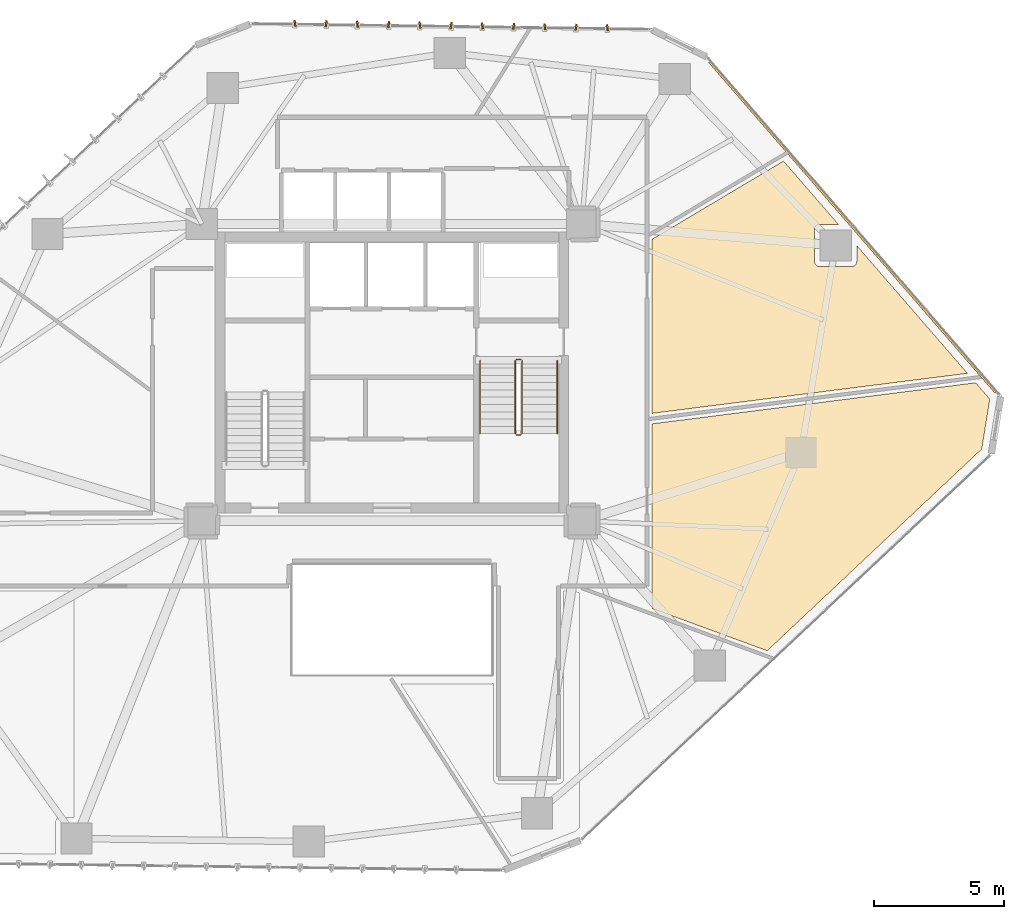
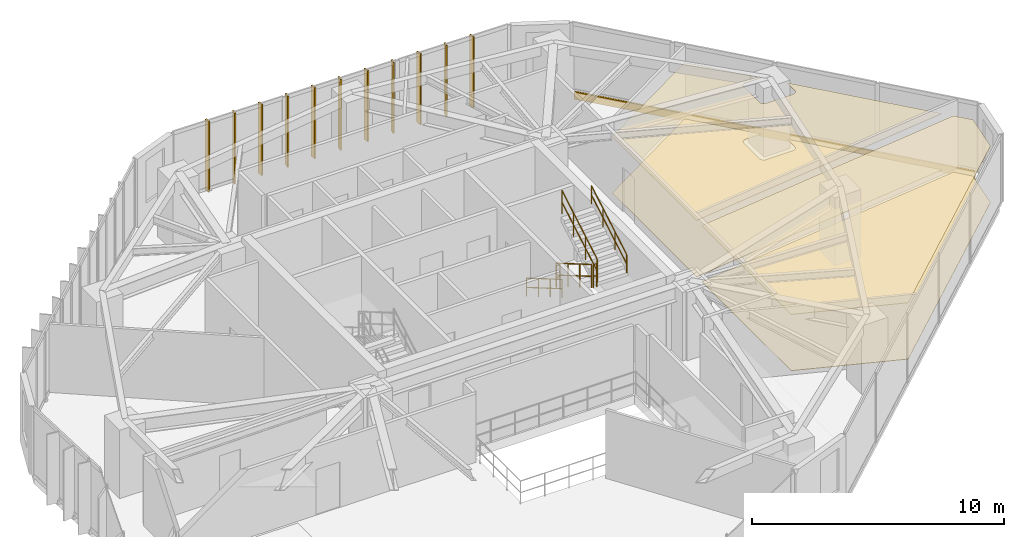
# One storey, part 22 of 22: 11 shading devices, 6 railings, 5 coverings.
"""IFC4 building model written with IfcOpenShell, lengths in metres."""

from ifc_helpers import new_model, si_unit, direction, frame, origin, origin_2d, place, context, subcontext, project, spatial, polyline, rectangle, circle, outline, extrude, source, transform, mapped, material, layer, layer_set, type_object, type_shapes, element, save


model = new_model("IFC4")

# Units and contexts
model_context = context("Model", 3, precision=1e-05, world=origin(), true_north=direction((0.0, 1.0)))
body_context = subcontext(model_context, "Body", "Model", "MODEL_VIEW")
ifc_project = project(units=[si_unit("LENGTHUNIT", "METRE"), si_unit("AREAUNIT", "SQUARE_METRE"), si_unit("VOLUMEUNIT", "CUBIC_METRE"), si_unit("PLANEANGLEUNIT", "RADIAN"), si_unit("MASSUNIT", "GRAM", prefix="KILO")], contexts=[model_context])

# Site, building, storey
site_placement = place(None, origin())
site = spatial("IfcSite", under=ifc_project, at=site_placement, CompositionType="ELEMENT")
building_placement = place(site_placement, origin())
building = spatial("IfcBuilding", under=site, at=building_placement, Name="Talar Marvaseh", CompositionType="ELEMENT")
storey_placement = place(building_placement, frame((0.0, 0.0, 89.39990234375)))
storey = spatial("IfcBuildingStorey", under=building, at=storey_placement, Name="L22", CompositionType="ELEMENT", Elevation=89.39990234375)

# Railings
ifc_material_1 = material(Name="Stainless Steel Grade 316", Category="steel")
railing_type_1 = type_object("IfcRailingType", Name="Brushed Stainless Wall Pitch Handrail 900", PredefinedType="HANDRAIL", material=ifc_material_1)
railing_1_placement = place(storey_placement, frame((29.389892578125, 31.64990234375, 0.163818359375)))
element("IfcRailing", 1, at=railing_1_placement, inside=storey, type_object=railing_type_1, Name="L22 ST-2 stair handrail 1", PredefinedType="HANDRAIL", context=body_context, shape_type="SweptSolid", body=[
    extrude(circle(Radius=0.02392578125, at=origin_2d()), frame((0.0, 0.0, 0.8759765625), z_axis=(0.0, -0.863374499697, 0.504563646405), x_axis=(1.0, 0.0, 0.0)), (0.0, 0.0, 1.0), 3.242919921875),
    extrude(circle(Radius=0.02392578125, at=origin_2d()), frame((0.0, 0.0, 0.42578125), z_axis=(0.0, -0.863374499697, 0.504563646405), x_axis=(1.0, 0.0, 0.0)), (0.0, 0.0, 1.0), 3.242919921875),
    extrude(circle(Radius=0.02099609375, at=origin_2d()), origin(), (0.0, 0.0, 1.0), 0.851806640625),
    extrude(circle(Radius=0.02099609375, at=origin_2d()), frame((0.0, -0.933349609375, 0.54541015625)), (0.0, 0.0, 1.0), 0.851806640625),
    extrude(circle(Radius=0.02099609375, at=origin_2d()), frame((0.0, -1.866455078125, 1.0908203125)), (0.0, 0.0, 1.0), 0.851806640625),
    extrude(circle(Radius=0.02099609375, at=origin_2d()), frame((0.0, -2.7998046875, 1.63623046875)), (0.0, 0.0, 1.0), 0.851806640625),
])
railing_2_placement = place(storey_placement, frame((32.35009765625, 28.85009765625, 1.963623046875)))
element("IfcRailing", 2, at=railing_2_placement, inside=storey, type_object=railing_type_1, Name="L22 ST-2 stair handrail 2", PredefinedType="HANDRAIL", context=body_context, shape_type="SweptSolid", body=[
    extrude(circle(Radius=0.02392578125, at=origin_2d()), frame((0.0, 0.0, 0.8759765625), z_axis=(0.0, 0.863341702679, 0.504619762213), x_axis=(-1.0, 0.0, 0.0)), (0.0, 0.0, 1.0), 3.242919921875),
    extrude(circle(Radius=0.02392578125, at=origin_2d()), frame((0.0, 0.0, 0.42578125), z_axis=(0.0, 0.863341702679, 0.504619762213), x_axis=(-1.0, 0.0, 0.0)), (0.0, 0.0, 1.0), 3.242919921875),
    extrude(circle(Radius=0.02099609375, at=origin_2d()), origin(), (0.0, 0.0, 1.0), 0.851806640625),
    extrude(circle(Radius=0.02099609375, at=origin_2d()), frame((0.0, 0.933349609375, 0.54541015625)), (0.0, 0.0, 1.0), 0.851806640625),
    extrude(circle(Radius=0.02099609375, at=origin_2d()), frame((0.0, 1.866455078125, 1.091064453125)), (0.0, 0.0, 1.0), 0.851806640625),
    extrude(circle(Radius=0.02099609375, at=origin_2d()), frame((0.0, 2.7998046875, 1.636474609375)), (0.0, 0.0, 1.0), 0.851806640625),
])
railing_type_2 = type_object("IfcRailingType", Name="Painted Steel Core Stair Well Guardrail 1150", PredefinedType="GUARDRAIL", material=ifc_material_1)
railing_3_placement = place(storey_placement, frame((30.739990234375, 31.64990234375, 0.163818359375)))
element("IfcRailing", 3, at=railing_3_placement, inside=storey, type_object=railing_type_2, Name="L22 ST-2 stair guard 1", PredefinedType="GUARDRAIL", context=body_context, shape_type="SweptSolid", body=[
    extrude(circle(Radius=0.02392578125, at=origin_2d()), frame((0.0, 0.0, 1.1259765625), z_axis=(0.0, -0.863374499697, 0.504563646405), x_axis=(1.0, 0.0, 0.0)), (0.0, 0.0, 1.0), 3.242919921875),
    extrude(circle(Radius=0.02392578125, at=origin_2d()), frame((0.0, 0.0, 0.55078125), z_axis=(0.0, -0.863374499697, 0.504563646405), x_axis=(1.0, 0.0, 0.0)), (0.0, 0.0, 1.0), 3.242919921875),
    extrude(circle(Radius=0.02099609375, at=origin_2d()), origin(), (0.0, 0.0, 1.0), 1.101806640625),
    extrude(circle(Radius=0.02099609375, at=origin_2d()), frame((0.0, -0.933349609375, 0.54541015625)), (0.0, 0.0, 1.0), 1.101806640625),
    extrude(circle(Radius=0.02099609375, at=origin_2d()), frame((0.0, -1.866455078125, 1.0908203125)), (0.0, 0.0, 1.0), 1.101806640625),
    extrude(circle(Radius=0.02099609375, at=origin_2d()), frame((0.0, -2.7998046875, 1.63623046875)), (0.0, 0.0, 1.0), 1.101806640625),
])
railing_4_placement = place(storey_placement, frame((30.7900390625, 28.800048828125, 1.800048828125)))
element("IfcRailing", 4, at=railing_4_placement, inside=storey, type_object=railing_type_2, Name="L22 ST-2 stair guard 2", PredefinedType="GUARDRAIL", context=body_context, shape_type="SweptSolid", body=[
    extrude(circle(Radius=0.02392578125, at=origin_2d()), frame((0.0, 0.0, 1.1259765625), z_axis=(1.0, 0.0, 0.0), x_axis=(0.0, 1.0, 0.0)), (0.0, 0.0, 1.0), 0.159912109375),
    extrude(circle(Radius=0.02392578125, at=origin_2d()), frame((0.0, 0.0, 0.55078125), z_axis=(1.0, 0.0, 0.0), x_axis=(0.0, 1.0, 0.0)), (0.0, 0.0, 1.0), 0.159912109375),
    extrude(circle(Radius=0.02099609375, at=origin_2d()), origin(), (0.0, 0.0, 1.0), 1.101806640625),
    extrude(circle(Radius=0.02099609375, at=origin_2d()), frame((0.159912109375, 0.0, 0.0)), (0.0, 0.0, 1.0), 1.101806640625),
])
railing_5_placement = place(storey_placement, frame((31.0, 28.85009765625, 1.963623046875)))
element("IfcRailing", 5, at=railing_5_placement, inside=storey, type_object=railing_type_2, Name="L22 ST-2 stair guard 3", PredefinedType="GUARDRAIL", context=body_context, shape_type="SweptSolid", body=[
    extrude(circle(Radius=0.02392578125, at=origin_2d()), frame((0.0, 0.0, 1.1259765625), z_axis=(0.0, 0.863341702679, 0.504619762213), x_axis=(-1.0, 0.0, 0.0)), (0.0, 0.0, 1.0), 3.242919921875),
    extrude(circle(Radius=0.02392578125, at=origin_2d()), frame((0.0, 0.0, 0.55078125), z_axis=(0.0, 0.863341702679, 0.504619762213), x_axis=(-1.0, 0.0, 0.0)), (0.0, 0.0, 1.0), 3.242919921875),
    extrude(circle(Radius=0.02099609375, at=origin_2d()), origin(), (0.0, 0.0, 1.0), 1.101806640625),
    extrude(circle(Radius=0.02099609375, at=origin_2d()), frame((0.0, 0.933349609375, 0.54541015625)), (0.0, 0.0, 1.0), 1.101806640625),
    extrude(circle(Radius=0.02099609375, at=origin_2d()), frame((0.0, 1.866455078125, 1.091064453125)), (0.0, 0.0, 1.0), 1.101806640625),
    extrude(circle(Radius=0.02099609375, at=origin_2d()), frame((0.0, 2.7998046875, 1.636474609375)), (0.0, 0.0, 1.0), 1.101806640625),
])
railing_6_placement = place(storey_placement, frame((30.7900390625, 31.699951171875, 0.0)))
element("IfcRailing", 6, at=railing_6_placement, inside=storey, type_object=railing_type_2, Name="L22 ST-2 stair guard 4", PredefinedType="GUARDRAIL", context=body_context, shape_type="SweptSolid", body=[
    extrude(circle(Radius=0.02392578125, at=origin_2d()), frame((0.0, 0.0, 1.1259765625), z_axis=(1.0, 0.0, 0.0), x_axis=(0.0, 1.0, 0.0)), (0.0, 0.0, 1.0), 0.159912109375),
    extrude(circle(Radius=0.02392578125, at=origin_2d()), frame((0.0, 0.0, 0.55078125), z_axis=(1.0, 0.0, 0.0), x_axis=(0.0, 1.0, 0.0)), (0.0, 0.0, 1.0), 0.159912109375),
    extrude(circle(Radius=0.02099609375, at=origin_2d()), origin(), (0.0, 0.0, 1.0), 1.101806640625),
    extrude(circle(Radius=0.02099609375, at=origin_2d()), frame((0.159912109375, 0.0, 0.0)), (0.0, 0.0, 1.0), 1.101806640625),
])

# Coverings
ifc_material_2 = material(Name="Mineral Fibre Acoustic Ceiling")
ifc_layer_1 = layer(ifc_material_2, 0.02490234375)
ifc_layer_set_1 = layer_set([ifc_layer_1], Name="Mineral Fibre Acoustic Ceiling")
covering_type_1 = type_object("IfcCoveringType", Name="Perforated Mineral Fibre Acoustic Suspended Ceiling", PredefinedType="CEILING", material=ifc_layer_set_1)
covering_1_placement = place(storey_placement, frame((0.0, 0.0, 2.72021484375)))
element("IfcCovering", 7, at=covering_1_placement, inside=storey, type_object=covering_type_1, Name="L22 Main Reading Room Acoustic Ceiling", PredefinedType="CEILING", context=body_context, shape_type="SweptSolid", body=[
    extrude(outline(polyline([(36.0, 22.132568359375), (36.0, 23.0), (36.0, 29.226806640625), (48.419921875, 30.802490234375), (48.962890625, 30.175537109375), (48.6533203125, 28.25830078125), (40.41552734375, 20.511474609375), (36.0, 22.132568359375)])), origin(), (0.0, 0.0, 1.0), 0.02490234375),
])
covering_2_placement = place(storey_placement, frame((0.0, 0.0, 2.72021484375)))
element("IfcCovering", 8, at=covering_2_placement, inside=storey, type_object=covering_type_1, Name="L22 Scholars' Servery Pantry Acoustic Ceiling", PredefinedType="CEILING", context=body_context, shape_type="SweptSolid", body=[
    extrude(outline(polyline([(42.393798828125, 36.882568359375), (42.374755859375, 36.877685546875), (42.3564453125, 36.87109375), (42.338623046875, 36.86279296875), (42.322021484375, 36.852783203125), (42.30615234375, 36.841064453125), (42.291748046875, 36.827880859375), (42.278564453125, 36.813232421875), (42.26708984375, 36.797607421875), (42.257080078125, 36.78076171875), (42.24853515625, 36.76318359375), (42.241943359375, 36.74462890625), (42.2373046875, 36.7255859375), (42.234375, 36.706298828125), (42.2333984375, 36.686767578125), (42.232421875, 35.466796875), (42.2333984375, 35.4462890625), (42.236572265625, 35.42578125), (42.24169921875, 35.406005859375), (42.2490234375, 35.38671875), (42.258056640625, 35.368408203125), (42.26904296875, 35.35107421875), (42.28173828125, 35.3349609375), (42.2958984375, 35.3203125), (42.311767578125, 35.306884765625), (42.32861328125, 35.29541015625), (42.3466796875, 35.285888671875), (42.3583984375, 35.2802734375), (42.374755859375, 35.2734375), (42.391845703125, 35.267822265625), (42.4091796875, 35.26416015625), (42.427001953125, 35.26171875), (42.444580078125, 35.260986328125), (43.6552734375, 35.265380859375), (43.6748046875, 35.266357421875), (43.694091796875, 35.269287109375), (43.713134765625, 35.274169921875), (43.7314453125, 35.28076171875), (43.7490234375, 35.2890625), (43.765869140625, 35.29931640625), (43.781494140625, 35.310791015625), (43.7958984375, 35.323974609375), (43.80908203125, 35.33837890625), (43.82080078125, 35.35400390625), (43.830810546875, 35.370849609375), (43.839111328125, 35.388427734375), (43.845703125, 35.406982421875), (43.8505859375, 35.42578125), (43.853515625, 35.445068359375), (43.8544921875, 35.464599609375), (43.85693359375, 36.0693359375), (48.10498046875, 31.165771484375), (36.0, 29.6298828125), (36.0, 36.3173828125), (41.04150390625, 39.319091796875), (43.146484375, 36.889404296875), (42.4326171875, 36.88671875), (42.4130859375, 36.885498046875), (42.393798828125, 36.882568359375)])), origin(), (0.0, 0.0, 1.0), 0.02490234375),
])
ifc_material_3 = material(Name="Porcelain Stoneware Tile", Category="masonry")
ifc_layer_2 = layer(ifc_material_3, 0.02001953125)
ifc_layer_set_2 = layer_set([ifc_layer_2], Name="Porcelain Stoneware Tile")
covering_type_2 = type_object("IfcCoveringType", Name="Polished Porcelain Stoneware Gallery Flooring", PredefinedType="FLOORING", material=ifc_layer_set_2)
covering_3_placement = place(storey_placement, origin())
element("IfcCovering", 9, at=covering_3_placement, inside=storey, type_object=covering_type_2, Name="L22 Main Reading Room Flooring", PredefinedType="FLOORING", context=body_context, shape_type="SweptSolid", body=[
    extrude(outline(polyline([(36.0, 22.132568359375), (36.0, 23.0), (36.0, 29.226806640625), (48.419921875, 30.802490234375), (48.962890625, 30.175537109375), (48.6533203125, 28.25830078125), (40.41552734375, 20.511474609375), (36.0, 22.132568359375)])), origin(), (0.0, 0.0, 1.0), 0.02001953125),
])
covering_4_placement = place(storey_placement, origin())
element("IfcCovering", 10, at=covering_4_placement, inside=storey, type_object=covering_type_2, Name="L22 Scholars' Servery Pantry Flooring", PredefinedType="FLOORING", context=body_context, shape_type="SweptSolid", body=[
    extrude(outline(polyline([(42.393798828125, 36.882568359375), (42.374755859375, 36.877685546875), (42.3564453125, 36.87109375), (42.338623046875, 36.86279296875), (42.322021484375, 36.852783203125), (42.30615234375, 36.841064453125), (42.291748046875, 36.827880859375), (42.278564453125, 36.813232421875), (42.26708984375, 36.797607421875), (42.257080078125, 36.78076171875), (42.24853515625, 36.76318359375), (42.241943359375, 36.74462890625), (42.2373046875, 36.7255859375), (42.234375, 36.706298828125), (42.2333984375, 36.686767578125), (42.232421875, 35.466796875), (42.2333984375, 35.4462890625), (42.236572265625, 35.42578125), (42.24169921875, 35.406005859375), (42.2490234375, 35.38671875), (42.258056640625, 35.368408203125), (42.26904296875, 35.35107421875), (42.28173828125, 35.3349609375), (42.2958984375, 35.3203125), (42.311767578125, 35.306884765625), (42.32861328125, 35.29541015625), (42.3466796875, 35.285888671875), (42.3583984375, 35.2802734375), (42.374755859375, 35.2734375), (42.391845703125, 35.267822265625), (42.4091796875, 35.26416015625), (42.427001953125, 35.26171875), (42.444580078125, 35.260986328125), (43.6552734375, 35.265380859375), (43.6748046875, 35.266357421875), (43.694091796875, 35.269287109375), (43.713134765625, 35.274169921875), (43.7314453125, 35.28076171875), (43.7490234375, 35.2890625), (43.765869140625, 35.29931640625), (43.781494140625, 35.310791015625), (43.7958984375, 35.323974609375), (43.80908203125, 35.33837890625), (43.82080078125, 35.35400390625), (43.830810546875, 35.370849609375), (43.839111328125, 35.388427734375), (43.845703125, 35.406982421875), (43.8505859375, 35.42578125), (43.853515625, 35.445068359375), (43.8544921875, 35.464599609375), (43.85693359375, 36.0693359375), (48.10498046875, 31.165771484375), (36.0, 29.6298828125), (36.0, 36.3173828125), (41.04150390625, 39.319091796875), (43.146484375, 36.889404296875), (42.4326171875, 36.88671875), (42.4130859375, 36.885498046875), (42.393798828125, 36.882568359375)])), origin(), (0.0, 0.0, 1.0), 0.02001953125),
])

# Shading devices
ifc_material_4 = material(Name="Anodised Champagne Bronze Aluminium", Category="aluminium")
ifc_layer_3 = layer(ifc_material_4, 0.06494140625)
ifc_layer_set_3 = layer_set([ifc_layer_3], Name="Anodised Champagne Bronze Aluminium")
shading_device_type = type_object("IfcShadingDeviceType", Name="Sawtooth Champagne Bronze Vertical Fin 240", PredefinedType="USERDEFINED", material=ifc_layer_set_3)
shared_shape_1 = source(origin(), body_context, "Body", "SweptSolid", [
    extrude(rectangle(XDim=0.239990234375, YDim=0.06494140625, at=origin_2d()), origin(), (0.0, 0.0, 1.0), 3.429931640625),
])
type_shapes(shading_device_type, [shared_shape_1])
for number, where, z_axis, x_axis, name in (
    (11, (22.277587890625, 44.612060546875, -0.11962890625), (0.0, 0.0, 1.0), (-0.124986912574, 0.992158390422, 0.0), "L22 Sawtooth Vertical Solar Fin"),
    (12, (23.4775390625, 44.594970703125, -0.11962890625), (0.0, 0.0, 1.0), (0.153330783737, 0.98817491911, 0.0), "L22 Sawtooth Vertical Solar Fin"),
    (13, (24.677490234375, 44.577880859375, -0.11962890625), (0.0, 0.0, 1.0), (-0.124986912574, 0.992158390422, 0.0), "L22 Sawtooth Vertical Solar Fin"),
    (14, (25.877197265625, 44.560791015625, -0.11962890625), (0.0, 0.0, 1.0), (0.153330783737, 0.98817491911, 0.0), "L22 Sawtooth Vertical Solar Fin"),
    (15, (27.0771484375, 44.543701171875, -0.11962890625), (0.0, 0.0, 1.0), (-0.124986912574, 0.992158390422, 0.0), "L22 Sawtooth Vertical Solar Fin"),
    (16, (28.277099609375, 44.5263671875, -0.11962890625), (0.0, 0.0, 1.0), (0.153330783737, 0.98817491911, 0.0), "L22 Sawtooth Vertical Solar Fin"),
    (17, (29.47705078125, 44.50927734375, -0.11962890625), (0.0, 0.0, 1.0), (-0.124986912574, 0.992158390422, 0.0), "L22 Sawtooth Vertical Solar Fin"),
    (18, (30.677001953125, 44.4921875, -0.11962890625), (0.0, 0.0, 1.0), (0.153330783737, 0.98817491911, 0.0), "L22 Sawtooth Vertical Solar Fin"),
    (19, (31.876708984375, 44.47509765625, -0.11962890625), (0.0, 0.0, 1.0), (-0.124986912574, 0.992158390422, 0.0), "L22 Sawtooth Vertical Solar Fin"),
    (20, (33.07666015625, 44.4580078125, -0.11962890625), (0.0, 0.0, 1.0), (0.153330783737, 0.98817491911, 0.0), "L22 Sawtooth Vertical Solar Fin"),
    (21, (34.276611328125, 44.44091796875, -0.11962890625), (0.0, 0.0, 1.0), (-0.124986912574, 0.992158390422, 0.0), "L22 Sawtooth Vertical Solar Fin"),
):
    element("IfcShadingDevice", number, at=place(storey_placement, frame(where, z_axis=z_axis, x_axis=x_axis)), inside=storey, type_object=shading_device_type, Name=name, ObjectType="FIN", PredefinedType="USERDEFINED", context=body_context, shape_type="MappedRepresentation", body=[
        mapped(shared_shape_1, transform((0.0, 0.0, 0.0), x_axis=(1.0, 0.0, 0.0), y_axis=(0.0, 1.0, 0.0), z_axis=(0.0, 0.0, 1.0), scale=1.0)),
    ])

# Covering
ifc_material_5 = material(Name="Precast concrete C45/55", Category="concrete")
ifc_layer_4 = layer(ifc_material_5, 0.080078125)
ifc_layer_set_4 = layer_set([ifc_layer_4], Name="Precast concrete C45/55")
covering_type_3 = type_object("IfcCoveringType", Name="Precast Limestone Spandrel Cladding Band", PredefinedType="CLADDING", material=ifc_layer_set_4)
shared_shape_2 = source(origin(), body_context, "Body", "SweptSolid", [
    extrude(rectangle(XDim=16.7919921875, YDim=0.080078125, at=origin_2d()), origin(), (0.0, 0.0, 1.0), 0.360107421875),
])
type_shapes(covering_type_3, [shared_shape_2])
covering_5_placement = place(storey_placement, frame((43.695556640625, 36.77490234375, -0.31982421875), z_axis=(0.0, 0.0, 1.0), x_axis=(0.654740813717, -0.755853469168, 0.0)))
element("IfcCovering", 22, at=covering_5_placement, inside=storey, type_object=covering_type_3, Name="L22 Precast Limestone Slab-Edge Spandrel Band", PredefinedType="CLADDING", context=body_context, shape_type="MappedRepresentation", body=[
    mapped(shared_shape_2, transform((0.0, 0.0, 0.0), x_axis=(1.0, 0.0, 0.0), y_axis=(0.0, 1.0, 0.0), z_axis=(0.0, 0.0, 1.0), scale=1.0)),
])

save(model, "model.ifc")
